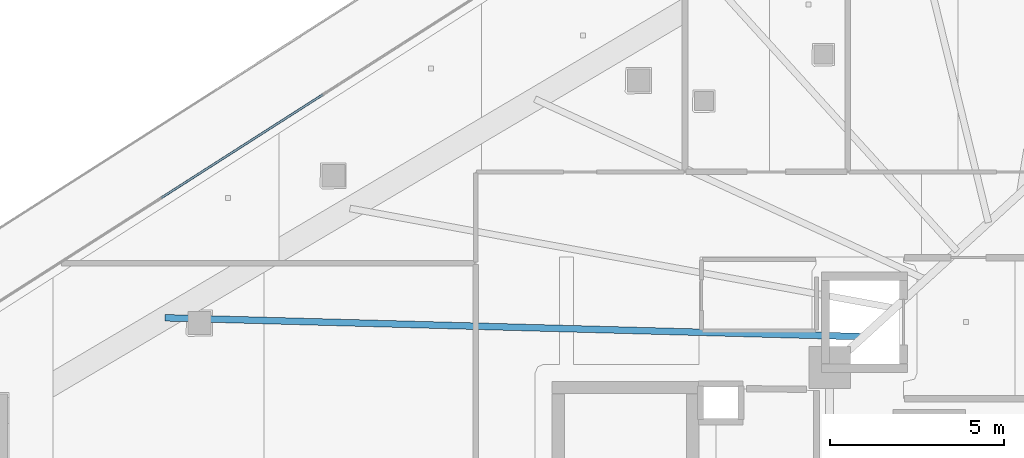
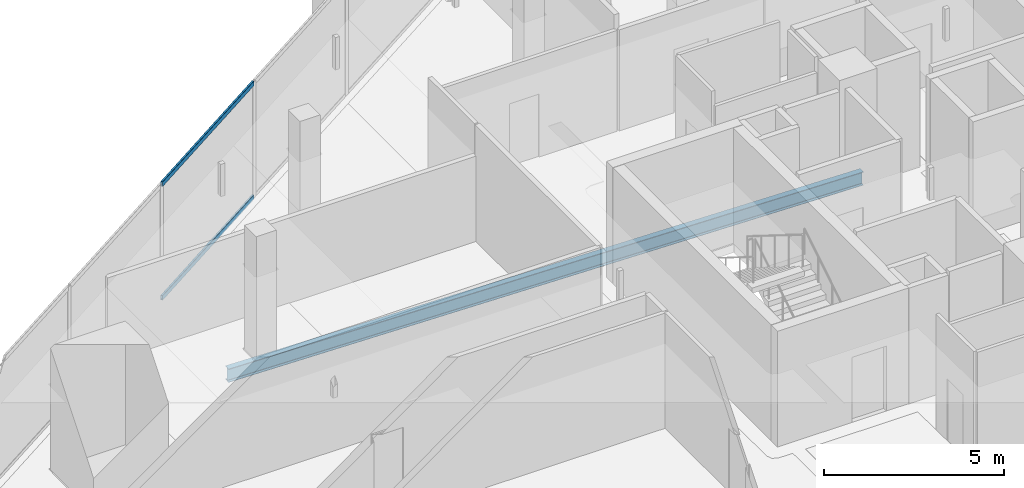
# One storey, part 15 of 46: 2 members, 1 beam, 1 element without a shape of its own.
"""IFC4 building model written with IfcOpenShell, lengths in metres."""

from ifc_helpers import new_model, si_unit, direction, frame, origin, origin_2d, place, context, subcontext, project, spatial, hollow_rectangle, i_section, extrude, material, layer, layer_set, material_profile, profile_set, type_object, element, aggregate, save


model = new_model("IFC4")

# Units and contexts
model_context = context("Model", 3, precision=1e-05, world=origin(), true_north=direction((0.0, 1.0)))
body_context = subcontext(model_context, "Body", "Model", "MODEL_VIEW")
ifc_project = project(units=[si_unit("LENGTHUNIT", "METRE"), si_unit("AREAUNIT", "SQUARE_METRE"), si_unit("VOLUMEUNIT", "CUBIC_METRE"), si_unit("PLANEANGLEUNIT", "RADIAN"), si_unit("MASSUNIT", "GRAM", prefix="KILO")], contexts=[model_context])

# Site, building, storey
site_placement = place(None, origin())
site = spatial("IfcSite", under=ifc_project, at=site_placement, CompositionType="ELEMENT")
building_placement = place(site_placement, origin())
building = spatial("IfcBuilding", under=site, at=building_placement, Name="Qorvath Tower", CompositionType="ELEMENT")
storey_placement = place(building_placement, frame((0.0, 0.0, 87.0)))
storey = spatial("IfcBuildingStorey", under=building, at=storey_placement, Name="L19", CompositionType="ELEMENT", Elevation=87.0)

# Beam
ifc_material_1 = material(Name="Steel ASTM A992 Grade 50", Category="steel")
ifc_material_profile_1 = material_profile(ifc_material_1, i_section(OverallWidth=0.18994140625, OverallDepth=0.45703125, WebThickness=0.009033203125, FlangeThickness=0.014404296875, FilletRadius=0.011962890625, at=origin_2d()), Name="W18x50")
ifc_profile_set_1 = profile_set([ifc_material_profile_1], Name="Steel ASTM A992 Grade 50")
beam_type = type_object("IfcBeamType", Name="BM-FJ2", PredefinedType="JOIST", material=ifc_profile_set_1)
beam_placement = place(storey_placement, frame((-29.533935546875, 6.031982421875, -0.508544921875), z_axis=(-0.999634925413, 0.02701880631, 0.0), x_axis=(-0.02701880631, -0.999634925413, 0.0)))
element("IfcBeam", 1, at=beam_placement, inside=storey, type_object=beam_type, Name="Composite Floor Joist NW1 L19", PredefinedType="JOIST", context=body_context, shape_type="SweptSolid", body=[
    extrude(i_section(OverallWidth=0.18994140625, OverallDepth=0.45703125, WebThickness=0.009033203125, FlangeThickness=0.014404296875, FilletRadius=0.011962890625, at=origin_2d()), origin(), (0.0, 0.0, 1.0), 20.041748046875),
])

# Curtain wall, members
ifc_material_2 = material(Name="Anodised aluminium and triple low-E glass", Category="aluminium")
ifc_layer = layer(ifc_material_2, 0.179931640625)
ifc_layer_set = layer_set([ifc_layer], Name="CW-SYS-2")
curtain_wall_type = type_object("IfcCurtainWallType", Name="CW-SYS-2", PredefinedType="NOTDEFINED", material=ifc_layer_set)
curtain_wall_placement = place(storey_placement, origin())
curtain_wall = element("IfcCurtainWall", 2, at=curtain_wall_placement, inside=storey, type_object=curtain_wall_type, Name="Curtain Wall CW-2 CW-T-L19-16.3", PredefinedType="NOTDEFINED")
ifc_material_3 = material(Name="Anodised aluminium 6063-T6", Category="aluminium")
ifc_material_profile_2 = material_profile(ifc_material_3, hollow_rectangle(XDim=0.06494140625, YDim=0.159912109375, WallThickness=0.00341796875, InnerFilletRadius=0.00341796875, OuterFilletRadius=0.007080078125, at=origin_2d()), Name="CWT 160x65")
ifc_profile_set_2 = profile_set([ifc_material_profile_2], Name="Anodised aluminium 6063-T6")
member_type = type_object("IfcMemberType", Name="CWT-160", PredefinedType="USERDEFINED", material=ifc_profile_set_2)
member_1_placement = place(storey_placement, frame((-45.0380859375, 12.977783203125, 0.032470703125), z_axis=(-0.842617465223, -0.538512587877, 0.0), x_axis=(0.538512587877, -0.842617465223, 0.0)))
member_1 = element("IfcMember", 3, at=member_1_placement, type_object=member_type, Name="CW-2 transom 3.1", ObjectType="TRANSOM", PredefinedType="USERDEFINED", context=body_context, shape_type="SweptSolid", body=[
    extrude(hollow_rectangle(XDim=0.06494140625, YDim=0.159912109375, WallThickness=0.00341796875, InnerFilletRadius=0.00341796875, OuterFilletRadius=0.007080078125, at=origin_2d()), origin(), (0.0, 0.0, 1.0), 5.506591796875),
])
member_2_placement = place(storey_placement, frame((-45.0380859375, 12.977783203125, 3.887451171875), z_axis=(-0.842617465223, -0.538512587877, 0.0), x_axis=(0.538512587877, -0.842617465223, 0.0)))
member_2 = element("IfcMember", 4, at=member_2_placement, type_object=member_type, Name="CW-2 transom 3.2", ObjectType="TRANSOM", PredefinedType="USERDEFINED", context=body_context, shape_type="SweptSolid", body=[
    extrude(hollow_rectangle(XDim=0.06494140625, YDim=0.159912109375, WallThickness=0.00341796875, InnerFilletRadius=0.00341796875, OuterFilletRadius=0.007080078125, at=origin_2d()), origin(), (0.0, 0.0, 1.0), 5.506591796875),
])
aggregate(curtain_wall, [member_1, member_2])

save(model, "model.ifc")
